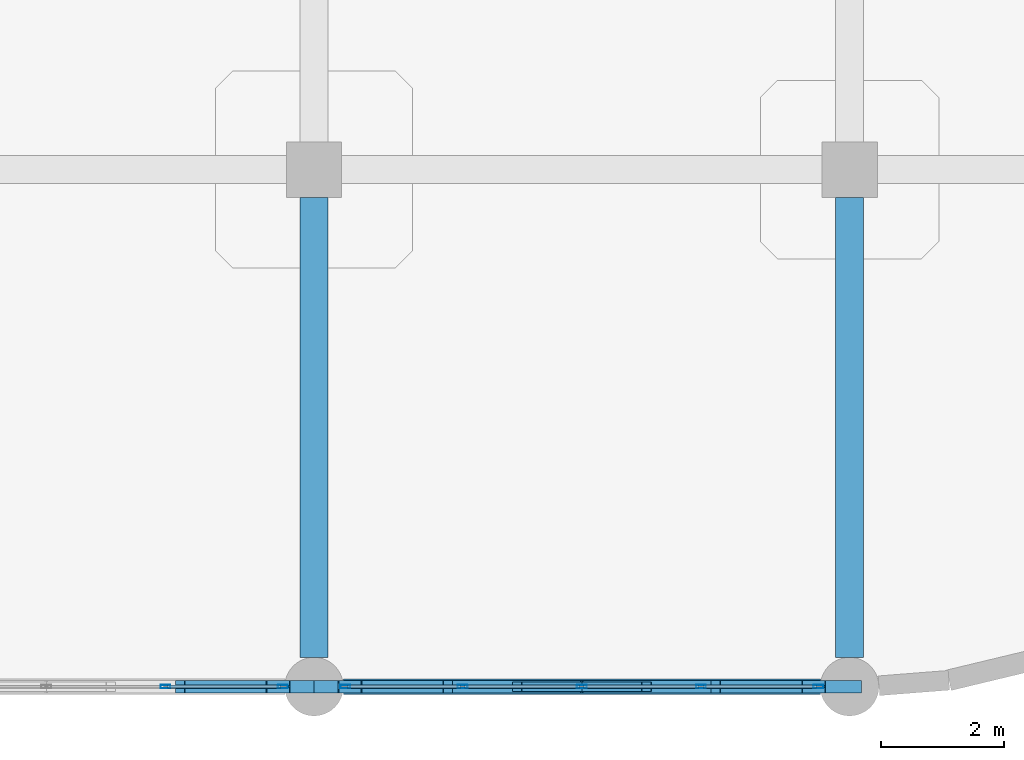
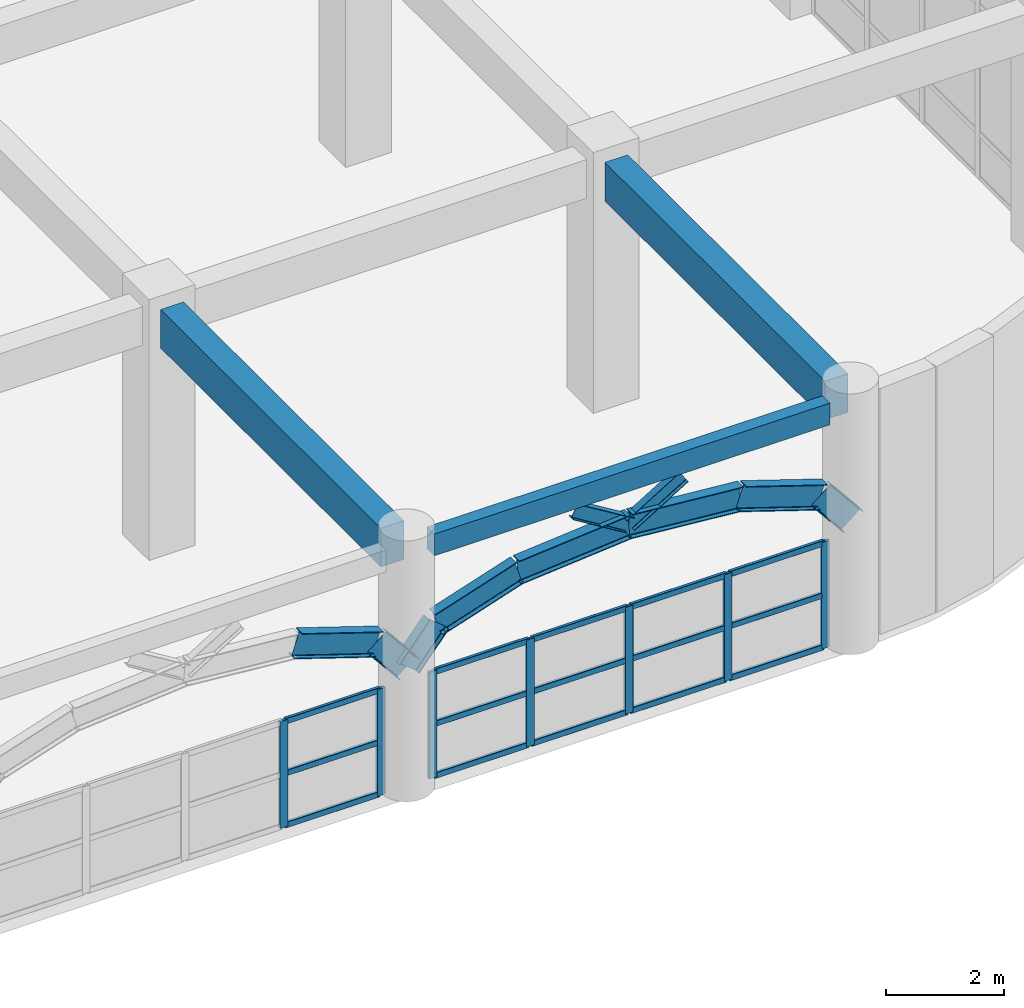
# One storey, part 15 of 114: 24 members, 11 beams, 2 elements without a shape of their own.
"""IFC4 building model written with IfcOpenShell, lengths in metres."""

import ifcopenshell
import ifcopenshell.guid

model = None  # the IFC model being written
_history = None  # IfcOwnerHistory: only IFC2X3 demands one
_inside = {}  # id of a spatial element -> (the spatial element, [elements in it])
_under = {}  # id of a project, library or spatial element -> (it, [spatial elements below it])
_declared = {}  # id of a project -> (the project, [libraries it declares])
_typed = {}  # id of a type object -> (the type object, [elements of that type])
_made_of = {}  # id of a material, layer set ... -> (it, [elements and type objects made of it])


def new_model(schema):
    """Start an empty IFC model of exactly this schema.

    Asked for "IFC4X3", IfcOpenShell would pick the latest addendum, in which some entities
    have other attributes; the version numbers below select the first issue.
    IFC2X3 requires an IfcOwnerHistory on every rooted entity: one is made here for all.
    """
    global model, _history
    if schema == "IFC4X3":
        model = ifcopenshell.file(schema_version=(4, 3, 0, 0))
    else:
        model = ifcopenshell.file(schema=schema)
    _inside.clear()
    _under.clear()
    _declared.clear()
    _typed.clear()
    _made_of.clear()
    _history = None
    if model.schema == "IFC2X3":
        org = make("IfcOrganization", Name="unknown")
        user = make(
            "IfcPersonAndOrganization",
            ThePerson=make("IfcPerson", FamilyName="unknown"),
            TheOrganization=org,
        )
        app = make(
            "IfcApplication",
            ApplicationDeveloper=org,
            Version="unknown",
            ApplicationFullName="unknown",
            ApplicationIdentifier="unknown",
        )
        _history = make(
            "IfcOwnerHistory",
            OwningUser=user,
            OwningApplication=app,
            ChangeAction="ADDED",
            CreationDate=0,
        )
    return model


def make(cls, **values):
    """One entity of the class cls with the attributes given. An attribute that is None is left unset."""
    return model.create_entity(
        cls, **{name: value for name, value in values.items() if value is not None}
    )


def rooted(cls, **values):
    """An entity with a GlobalId (a new one), such as an element, a storey or a relation."""
    return make(cls, GlobalId=ifcopenshell.guid.new(), OwnerHistory=_history, **values)


def si_unit(unit_type, name, prefix=None):
    """IfcSIUnit, for example si_unit("LENGTHUNIT", "METRE", prefix="MILLI")."""
    return make("IfcSIUnit", UnitType=unit_type, Prefix=prefix, Name=name)


def derived_unit(unit_type, elements):
    """IfcDerivedUnit: a product of units, each with its exponent."""
    return make(
        "IfcDerivedUnit",
        Elements=[
            make("IfcDerivedUnitElement", Unit=unit, Exponent=power)
            for unit, power in elements
        ],
        UnitType=unit_type,
    )


def assignment(units):
    """IfcUnitAssignment: the units of a project."""
    return None if units is None else make("IfcUnitAssignment", Units=units)


def point(xyz):
    """IfcCartesianPoint."""
    return None if xyz is None else make("IfcCartesianPoint", Coordinates=xyz)


def direction(xyz):
    """IfcDirection."""
    return None if xyz is None else make("IfcDirection", DirectionRatios=xyz)


def frame(location, z_axis=None, x_axis=None):
    """IfcAxis2Placement3D, a coordinate frame: its origin and axes. An axis left out is left unset."""
    return make(
        "IfcAxis2Placement3D",
        Location=point(location),
        Axis=direction(z_axis),
        RefDirection=direction(x_axis),
    )


def frame_2d(location, x_axis=None):
    """IfcAxis2Placement2D, a coordinate frame in the plane: its origin and x axis."""
    return make(
        "IfcAxis2Placement2D", Location=point(location), RefDirection=direction(x_axis)
    )


def origin():
    """The frame at (0, 0, 0) with its axes left unset."""
    return frame((0.0, 0.0, 0.0))


def origin_2d():
    """The frame at (0, 0) in the plane with its x axis left unset."""
    return frame_2d((0.0, 0.0))


def place(relative_to, where):
    """IfcLocalPlacement: puts the frame where relative to a parent placement (None: the world)."""
    return make(
        "IfcLocalPlacement", PlacementRelTo=relative_to, RelativePlacement=where
    )


def context(
    kind, dimensions, precision=None, world=None, true_north=None, identifier=None
):
    """IfcGeometricRepresentationContext, for example the 3D "Model" context."""
    return make(
        "IfcGeometricRepresentationContext",
        ContextIdentifier=identifier,
        ContextType=kind,
        CoordinateSpaceDimension=dimensions,
        Precision=precision,
        WorldCoordinateSystem=world,
        TrueNorth=true_north,
    )


def subcontext(parent, identifier, kind, view, scale=None):
    """IfcGeometricRepresentationSubContext, for example "Body" below "Model"."""
    return make(
        "IfcGeometricRepresentationSubContext",
        ContextIdentifier=identifier,
        ContextType=kind,
        ParentContext=parent,
        TargetScale=scale,
        TargetView=view,
    )


def project(units=None, contexts=None):
    """IfcProject with its units and contexts."""
    return rooted(
        "IfcProject",
        Name="project",
        RepresentationContexts=contexts,
        UnitsInContext=assignment(units),
    )


def spatial(cls, under=None, at=None, **own):
    """A site, building, storey or space (cls), placed at a placement, below another one or the project."""
    s = rooted(cls, ObjectPlacement=at, **own)
    if under is not None:
        _under.setdefault(under.id(), (under, []))[1].append(s)
    return s


def profile(cls, at=None, kind="AREA", **sizes):
    """A parametric profile (cls). Its sizes go by their IFC names, for example OverallWidth=200.0."""
    return make(cls, ProfileType=kind, Position=at, **sizes)


def rectangle(**sizes):
    """IfcRectangleProfileDef."""
    return profile("IfcRectangleProfileDef", **sizes)


def hollow_rectangle(**sizes):
    """IfcRectangleHollowProfileDef."""
    return profile("IfcRectangleHollowProfileDef", **sizes)


def i_section(**sizes):
    """IfcIShapeProfileDef."""
    return profile("IfcIShapeProfileDef", **sizes)


def extrude(swept, where, along, depth):
    """IfcExtrudedAreaSolid: the profile swept, set in the frame where, extruded along a direction by depth."""
    return make(
        "IfcExtrudedAreaSolid",
        SweptArea=swept,
        Position=where,
        ExtrudedDirection=direction(along),
        Depth=depth,
    )


def shape(context_of_items, identifier, shape_type, items):
    """IfcShapeRepresentation: the items that make up one representation, for example the "Body"."""
    return make(
        "IfcShapeRepresentation",
        ContextOfItems=context_of_items,
        RepresentationIdentifier=identifier,
        RepresentationType=shape_type,
        Items=items,
    )


def material(Name=None, Category=None):
    """IfcMaterial."""
    return make("IfcMaterial", Name=Name, Category=Category)


def layer(
    of_material, thickness, ventilated=None, Name=None, Category=None, Priority=None
):
    """IfcMaterialLayer: one layer of a wall or slab, of a material (None: an air gap)."""
    return make(
        "IfcMaterialLayer",
        Material=of_material,
        LayerThickness=thickness,
        IsVentilated=ventilated,
        Name=Name,
        Category=Category,
        Priority=Priority,
    )


def layer_set(layers, Name=None):
    """IfcMaterialLayerSet."""
    return make("IfcMaterialLayerSet", MaterialLayers=layers, LayerSetName=Name)


def material_profile(
    of_material, cross_section, Name=None, Category=None, Priority=None
):
    """IfcMaterialProfile: a cross section and its material."""
    return make(
        "IfcMaterialProfile",
        Name=Name,
        Material=of_material,
        Profile=cross_section,
        Priority=Priority,
        Category=Category,
    )


def profile_set(profiles, Name=None, composite=None):
    """IfcMaterialProfileSet."""
    return make(
        "IfcMaterialProfileSet",
        Name=Name,
        MaterialProfiles=profiles,
        CompositeProfile=composite,
    )


def made_of(thing, what):
    """Note that an element or type object is made of a material, layer set ...; save() writes the relation."""
    if what is not None:
        _made_of.setdefault(what.id(), (what, []))[1].append(thing)
    return thing


def type_object(cls, material=None, **own):
    """A type object (cls), such as IfcWallType, which elements share."""
    return made_of(rooted(cls, **own), material)


def element(
    cls,
    number,
    at=None,
    inside=None,
    cuts=None,
    type_object=None,
    material=None,
    context=None,
    identifier="Body",
    shape_type=None,
    held_by="IfcProductDefinitionShape",
    body=None,
    shapes=None,
    **own,
):
    """One element of the class cls, such as IfcWall. Its Tag is "e" and its number.

    at: its placement. inside: the storey or other place that contains it. cuts: it is an
    opening in that element (IfcRelVoidsElement). A single representation is given by context,
    identifier, shape_type and body (its items); several are given by shapes. held_by: the class
    of the entity that holds the representations. save() writes the other relations.
    """
    e = rooted(cls, Tag="e%d" % number, ObjectPlacement=at, **own)
    if body is not None:
        shapes = [shape(context, identifier, shape_type, body)]
    if shapes is not None:
        e.Representation = make(held_by, Representations=shapes)
    if inside is not None:
        _inside.setdefault(inside.id(), (inside, []))[1].append(e)
    if cuts is not None:
        rooted(
            "IfcRelVoidsElement", RelatingBuildingElement=cuts, RelatedOpeningElement=e
        )
    if type_object is not None:
        _typed.setdefault(type_object.id(), (type_object, []))[1].append(e)
    return made_of(e, material)


def aggregate(whole, parts):
    """IfcRelAggregates: a whole, such as a stair, and the parts it consists of."""
    return rooted("IfcRelAggregates", RelatingObject=whole, RelatedObjects=parts)


def save(model, path):
    """Write the relations noted so far, then the file.

    IfcRelAggregates (storeys below a building ...), IfcRelContainedInSpatialStructure (elements
    in a storey), IfcRelDefinesByType, IfcRelAssociatesMaterial and IfcRelDeclares: one each for
    every whole, place, type object, material and project.
    """
    for whole, parts in _under.values():
        aggregate(whole, parts)
    for where, things in _inside.values():
        rooted(
            "IfcRelContainedInSpatialStructure",
            RelatedElements=things,
            RelatingStructure=where,
        )
    for kind, things in _typed.values():
        rooted("IfcRelDefinesByType", RelatedObjects=things, RelatingType=kind)
    for what, things in _made_of.values():
        rooted("IfcRelAssociatesMaterial", RelatedObjects=things, RelatingMaterial=what)
    for by, libraries in _declared.values():
        rooted("IfcRelDeclares", RelatingContext=by, RelatedDefinitions=libraries)
    model.write(path)


model = new_model("IFC4")

# Units and contexts
model_context = context("Model", 3, precision=1e-05, world=origin(), true_north=direction((0.0, 1.0)))
body_context = subcontext(model_context, "Body", "Model", "MODEL_VIEW")
ifc_project = project(units=[si_unit("LENGTHUNIT", "METRE"), si_unit("AREAUNIT", "SQUARE_METRE"), si_unit("VOLUMEUNIT", "CUBIC_METRE"), si_unit("PLANEANGLEUNIT", "RADIAN"), si_unit("MASSUNIT", "GRAM", prefix="KILO"), derived_unit("THERMALTRANSMITTANCEUNIT", [(si_unit("MASSUNIT", "GRAM", prefix="KILO"), 1), (si_unit("TIMEUNIT", "SECOND"), -3), (si_unit("THERMODYNAMICTEMPERATUREUNIT", "KELVIN"), -1)])], contexts=[model_context])

# Site, building, storey
site_placement = place(None, origin())
site = spatial("IfcSite", under=ifc_project, at=site_placement, CompositionType="ELEMENT")
building_placement = place(site_placement, origin())
building = spatial("IfcBuilding", under=site, at=building_placement, Name="Qinzheling Arcade Emporium", CompositionType="ELEMENT")
storey_placement = place(building_placement, frame((0.0, 0.0, 6.0)))
storey = spatial("IfcBuildingStorey", under=building, at=storey_placement, Name="L02", CompositionType="ELEMENT", Elevation=6.0)

# Beams
ifc_material_1 = material(Name="Weathering steel Q355NH", Category="steel")
ifc_material_profile_1 = material_profile(ifc_material_1, i_section(OverallWidth=0.199951171875, OverallDepth=0.5, WebThickness=0.010009765625, FlangeThickness=0.01611328125, FilletRadius=0.01806640625, at=origin_2d()), Name="HN 500x200x10x16", Category="steel")
ifc_profile_set_1 = profile_set([ifc_material_profile_1], Name="Weathering steel Q355NH")
beam_type_1 = type_object("IfcBeamType", Name="Arcade End Arch Rib HN500 Q355NH", PredefinedType="BEAM", material=ifc_profile_set_1)
beam_1_placement = place(storey_placement, frame((50.02490234375, 0.0, 3.708984375), z_axis=(0.950403395584, 0.0, -0.311019912004), x_axis=(0.0, 1.0, 0.0)))
element("IfcBeam", 1, at=beam_1_placement, inside=storey, type_object=beam_type_1, Name="Street Entrance Arch ARC-L02-S03-C05", PredefinedType="BEAM", context=body_context, shape_type="SweptSolid", body=[
    extrude(i_section(OverallWidth=0.199951171875, OverallDepth=0.5, WebThickness=0.010009765625, FlangeThickness=0.01611328125, FilletRadius=0.01806640625, at=origin_2d()), origin(), (0.0, 0.0, 1.0), 1.675048828125),
])
for number, where, z_axis, x_axis, name in (
    (2, (51.616943359375, 0.0, 3.18798828125), (0.633064539161, 0.0, -0.774099017734), (0.0, 1.0, 0.0), "Street Entrance Arch ARC-L02-S03-C06"),
    (3, (52.199951171875, 0.0, 2.47509765625), (0.633064539161, 0.0, 0.774099017734), (0.0, 1.0, 0.0), "Street Entrance Arch ARC-L02-S04-C01"),
):
    element("IfcBeam", number, at=place(storey_placement, frame(where, z_axis=z_axis, x_axis=x_axis)), inside=storey, type_object=beam_type_1, Name=name, PredefinedType="BEAM", context=body_context, shape_type="SweptSolid", body=[
        extrude(i_section(OverallWidth=0.199951171875, OverallDepth=0.5, WebThickness=0.010009765625, FlangeThickness=0.01611328125, FilletRadius=0.01806640625, at=origin_2d()), origin(), (0.0, 0.0, 1.0), 0.9208984375),
    ])
beam_2_placement = place(storey_placement, frame((52.782958984375, 0.0, 3.18798828125), z_axis=(0.950403395584, 0.0, 0.311019912004), x_axis=(0.0, 1.0, 0.0)))
element("IfcBeam", 4, at=beam_2_placement, inside=storey, type_object=beam_type_1, Name="Street Entrance Arch ARC-L02-S04-C02", PredefinedType="BEAM", context=body_context, shape_type="SweptSolid", body=[
    extrude(i_section(OverallWidth=0.199951171875, OverallDepth=0.5, WebThickness=0.010009765625, FlangeThickness=0.01611328125, FilletRadius=0.01806640625, at=origin_2d()), origin(), (0.0, 0.0, 1.0), 1.675048828125),
])
for number, where, z_axis, x_axis, name in (
    (5, (54.375, 0.0, 3.708984375), (0.9961697702, 0.0, 0.087440202076), (0.0, 1.0, 0.0), "Street Entrance Arch ARC-L02-S04-C03"),
    (6, (56.550048828125, 0.0, 3.89990234375), (0.9961697702, 0.0, -0.087440202076), (0.0, 1.0, 0.0), "Street Entrance Arch ARC-L02-S04-C04"),
):
    element("IfcBeam", number, at=place(storey_placement, frame(where, z_axis=z_axis, x_axis=x_axis)), inside=storey, type_object=beam_type_1, Name=name, PredefinedType="BEAM", context=body_context, shape_type="SweptSolid", body=[
        extrude(i_section(OverallWidth=0.199951171875, OverallDepth=0.5, WebThickness=0.010009765625, FlangeThickness=0.01611328125, FilletRadius=0.01806640625, at=origin_2d()), origin(), (0.0, 0.0, 1.0), 2.183349609375),
    ])
beam_3_placement = place(storey_placement, frame((58.72509765625, 0.0, 3.708984375), z_axis=(0.950389294243, 0.0, -0.311062999067), x_axis=(0.0, 1.0, 0.0)))
element("IfcBeam", 7, at=beam_3_placement, inside=storey, type_object=beam_type_1, Name="Street Entrance Arch ARC-L02-S04-C05", PredefinedType="BEAM", context=body_context, shape_type="SweptSolid", body=[
    extrude(i_section(OverallWidth=0.199951171875, OverallDepth=0.5, WebThickness=0.010009765625, FlangeThickness=0.01611328125, FilletRadius=0.01806640625, at=origin_2d()), origin(), (0.0, 0.0, 1.0), 1.6748046875),
])
beam_4_placement = place(storey_placement, frame((60.31689453125, 0.0, 3.18798828125), z_axis=(0.633064539161, 0.0, -0.774099017734), x_axis=(0.0, 1.0, 0.0)))
element("IfcBeam", 8, at=beam_4_placement, inside=storey, type_object=beam_type_1, Name="Street Entrance Arch ARC-L02-S04-C06", PredefinedType="BEAM", context=body_context, shape_type="SweptSolid", body=[
    extrude(i_section(OverallWidth=0.199951171875, OverallDepth=0.5, WebThickness=0.010009765625, FlangeThickness=0.01611328125, FilletRadius=0.01806640625, at=origin_2d()), origin(), (0.0, 0.0, 1.0), 0.9208984375),
])

# Members
ifc_material_profile_2 = material_profile(ifc_material_1, i_section(OverallWidth=0.14990234375, OverallDepth=0.300048828125, WebThickness=0.006591796875, FlangeThickness=0.009033203125, FilletRadius=0.012939453125, at=origin_2d()), Name="HN 300x150x6.5x9", Category="steel")
ifc_profile_set_2 = profile_set([ifc_material_profile_2], Name="Weathering steel Q355NH")
member_type_1 = type_object("IfcMemberType", Name="Arcade Spandrel Web Chord HN300 Q355NH", PredefinedType="CHORD", material=ifc_profile_set_2)
for number, where, z_axis, x_axis, name in (
    (9, (56.550048828125, 0.0, 3.909912109375), (-0.853845673448, 0.0, 0.520526239428), (0.0, -1.0, 0.0), "Street Spandrel Web Chord ASW-L02-S04-W1"),
    (10, (56.550048828125, 0.0, 3.909912109375), (0.853845673448, 0.0, 0.520526239428), (0.0, 1.0, 0.0), "Street Spandrel Web Chord ASW-L02-S04-W2"),
):
    element("IfcMember", number, at=place(storey_placement, frame(where, z_axis=z_axis, x_axis=x_axis)), inside=storey, type_object=member_type_1, Name=name, PredefinedType="CHORD", context=body_context, shape_type="SweptSolid", body=[
        extrude(i_section(OverallWidth=0.14990234375, OverallDepth=0.300048828125, WebThickness=0.006591796875, FlangeThickness=0.009033203125, FilletRadius=0.012939453125, at=origin_2d()), origin(), (0.0, 0.0, 1.0), 1.229736328125),
    ])

# Curtain wall, members
ifc_material_2 = material(Name="Anodised aluminium and solar-control double glazing", Category="aluminium")
ifc_layer = layer(ifc_material_2, 0.159912109375, Name="Anodised aluminium and solar-control double glazing", Category="aluminium")
ifc_layer_set = layer_set([ifc_layer], Name="Anodised aluminium and solar-control double glazing")
curtain_wall_type = type_object("IfcCurtainWallType", Name="Arcade Portal Glazed Curtain Wall", PredefinedType="NOTDEFINED", material=ifc_layer_set)
curtain_wall_1_placement = place(storey_placement, origin())
curtain_wall_1 = element("IfcCurtainWall", 11, at=curtain_wall_1_placement, inside=storey, type_object=curtain_wall_type, Name="Curtain Wall CW-L02-069", PredefinedType="NOTDEFINED")
ifc_material_3 = material(Name="Anodised aluminium 6063-T6", Category="aluminium")
ifc_material_profile_3 = material_profile(ifc_material_3, hollow_rectangle(XDim=0.06005859375, YDim=0.159912109375, WallThickness=0.00390625, InnerFilletRadius=0.00390625, OuterFilletRadius=0.008056640625, at=origin_2d()), Name="RHS 160x60x4", Category="aluminium")
ifc_profile_set_3 = profile_set([ifc_material_profile_3], Name="Anodised aluminium 6063-T6")
member_type_2 = type_object("IfcMemberType", Name="Curtain Wall Mullion RHS160x60", PredefinedType="MULLION", material=ifc_profile_set_3)
member_1_placement = place(storey_placement, frame((60.39306640625, 0.0, 0.0), z_axis=(0.0, 0.0, 1.0), x_axis=(0.0, -1.0, 0.0)))
member_1 = element("IfcMember", 12, at=member_1_placement, type_object=member_type_2, Name="CW05 mullion 1", PredefinedType="MULLION", context=body_context, shape_type="SweptSolid", body=[
    extrude(hollow_rectangle(XDim=0.06005859375, YDim=0.159912109375, WallThickness=0.00390625, InnerFilletRadius=0.00390625, OuterFilletRadius=0.008056640625, at=origin_2d()), origin(), (0.0, 0.0, 1.0), 2.2099609375),
])
member_2_placement = place(storey_placement, frame((58.486572265625, 0.0, 0.0), z_axis=(0.0, 0.0, 1.0), x_axis=(0.0, -1.0, 0.0)))
member_2 = element("IfcMember", 13, at=member_2_placement, type_object=member_type_2, Name="CW05 mullion 2", PredefinedType="MULLION", context=body_context, shape_type="SweptSolid", body=[
    extrude(hollow_rectangle(XDim=0.06005859375, YDim=0.159912109375, WallThickness=0.00390625, InnerFilletRadius=0.00390625, OuterFilletRadius=0.008056640625, at=origin_2d()), origin(), (0.0, 0.0, 1.0), 2.2099609375),
])
member_3_placement = place(storey_placement, frame((56.550048828125, 0.0, 0.0), z_axis=(0.0, 0.0, 1.0), x_axis=(0.0, -1.0, 0.0)))
member_3 = element("IfcMember", 14, at=member_3_placement, type_object=member_type_2, Name="CW05 mullion 3", PredefinedType="MULLION", context=body_context, shape_type="SweptSolid", body=[
    extrude(hollow_rectangle(XDim=0.06005859375, YDim=0.159912109375, WallThickness=0.00390625, InnerFilletRadius=0.00390625, OuterFilletRadius=0.008056640625, at=origin_2d()), origin(), (0.0, 0.0, 1.0), 2.2099609375),
])
member_4_placement = place(storey_placement, frame((54.613525390625, 0.0, 0.0), z_axis=(0.0, 0.0, 1.0), x_axis=(0.0, -1.0, 0.0)))
member_4 = element("IfcMember", 15, at=member_4_placement, type_object=member_type_2, Name="CW05 mullion 4", PredefinedType="MULLION", context=body_context, shape_type="SweptSolid", body=[
    extrude(hollow_rectangle(XDim=0.06005859375, YDim=0.159912109375, WallThickness=0.00390625, InnerFilletRadius=0.00390625, OuterFilletRadius=0.008056640625, at=origin_2d()), origin(), (0.0, 0.0, 1.0), 2.2099609375),
])
member_5_placement = place(storey_placement, frame((52.70703125, 0.0, 0.0), z_axis=(0.0, 0.0, 1.0), x_axis=(0.0, -1.0, 0.0)))
member_5 = element("IfcMember", 16, at=member_5_placement, type_object=member_type_2, Name="CW05 mullion 5", PredefinedType="MULLION", context=body_context, shape_type="SweptSolid", body=[
    extrude(hollow_rectangle(XDim=0.06005859375, YDim=0.159912109375, WallThickness=0.00390625, InnerFilletRadius=0.00390625, OuterFilletRadius=0.008056640625, at=origin_2d()), origin(), (0.0, 0.0, 1.0), 2.2099609375),
])

curtain_wall_2_placement = place(storey_placement, origin())
curtain_wall_2 = element("IfcCurtainWall", 17, at=curtain_wall_2_placement, inside=storey, type_object=curtain_wall_type, Name="Curtain Wall CW-L02-070", PredefinedType="NOTDEFINED")
member_6_placement = place(storey_placement, frame((51.693115234375, 0.0, 0.0), z_axis=(0.0, 0.0, 1.0), x_axis=(0.0, -1.0, 0.0)))
member_6 = element("IfcMember", 18, at=member_6_placement, type_object=member_type_2, Name="CW05 mullion 1", PredefinedType="MULLION", context=body_context, shape_type="SweptSolid", body=[
    extrude(hollow_rectangle(XDim=0.06005859375, YDim=0.159912109375, WallThickness=0.00390625, InnerFilletRadius=0.00390625, OuterFilletRadius=0.008056640625, at=origin_2d()), origin(), (0.0, 0.0, 1.0), 2.2099609375),
])
member_7_placement = place(storey_placement, frame((49.78662109375, 0.0, 0.0), z_axis=(0.0, 0.0, 1.0), x_axis=(0.0, -1.0, 0.0)))
member_7 = element("IfcMember", 19, at=member_7_placement, type_object=member_type_2, Name="CW05 mullion 2", PredefinedType="MULLION", context=body_context, shape_type="SweptSolid", body=[
    extrude(hollow_rectangle(XDim=0.06005859375, YDim=0.159912109375, WallThickness=0.00390625, InnerFilletRadius=0.00390625, OuterFilletRadius=0.008056640625, at=origin_2d()), origin(), (0.0, 0.0, 1.0), 2.2099609375),
])

# Member
ifc_material_profile_4 = material_profile(ifc_material_3, hollow_rectangle(XDim=0.06005859375, YDim=0.1201171875, WallThickness=0.00390625, InnerFilletRadius=0.00390625, OuterFilletRadius=0.008056640625, at=origin_2d()), Name="RHS 120x60x4", Category="aluminium")
ifc_profile_set_4 = profile_set([ifc_material_profile_4], Name="Anodised aluminium 6063-T6")
member_type_3 = type_object("IfcMemberType", Name="Curtain Wall Transom RHS120x60", PredefinedType="USERDEFINED", material=ifc_profile_set_4)
member_8_placement = place(storey_placement, frame((60.363037109375, 0.0, 0.030029296875), z_axis=(-1.0, 0.0, 0.0), x_axis=(0.0, -1.0, 0.0)))
member_8 = element("IfcMember", 20, at=member_8_placement, type_object=member_type_3, Name="CW05 transom 1.1", ObjectType="TRANSOM", PredefinedType="USERDEFINED", context=body_context, shape_type="SweptSolid", body=[
    extrude(hollow_rectangle(XDim=0.06005859375, YDim=0.1201171875, WallThickness=0.00390625, InnerFilletRadius=0.00390625, OuterFilletRadius=0.008056640625, at=origin_2d()), origin(), (0.0, 0.0, 1.0), 1.846435546875),
])

member_9_placement = place(storey_placement, frame((60.363037109375, 0.0, 1.10498046875), z_axis=(-1.0, 0.0, 0.0), x_axis=(0.0, -1.0, 0.0)))
member_9 = element("IfcMember", 21, at=member_9_placement, type_object=member_type_3, Name="CW05 transom 1.2", ObjectType="TRANSOM", PredefinedType="USERDEFINED", context=body_context, shape_type="SweptSolid", body=[
    extrude(hollow_rectangle(XDim=0.06005859375, YDim=0.1201171875, WallThickness=0.00390625, InnerFilletRadius=0.00390625, OuterFilletRadius=0.008056640625, at=origin_2d()), origin(), (0.0, 0.0, 1.0), 1.846435546875),
])

member_10_placement = place(storey_placement, frame((60.363037109375, 0.0, 2.179931640625), z_axis=(-1.0, 0.0, 0.0), x_axis=(0.0, -1.0, 0.0)))
member_10 = element("IfcMember", 22, at=member_10_placement, type_object=member_type_3, Name="CW05 transom 1.3", ObjectType="TRANSOM", PredefinedType="USERDEFINED", context=body_context, shape_type="SweptSolid", body=[
    extrude(hollow_rectangle(XDim=0.06005859375, YDim=0.1201171875, WallThickness=0.00390625, InnerFilletRadius=0.00390625, OuterFilletRadius=0.008056640625, at=origin_2d()), origin(), (0.0, 0.0, 1.0), 1.846435546875),
])

member_11_placement = place(storey_placement, frame((58.45654296875, 0.0, 0.030029296875), z_axis=(-1.0, 0.0, 0.0), x_axis=(0.0, -1.0, 0.0)))
member_11 = element("IfcMember", 23, at=member_11_placement, type_object=member_type_3, Name="CW05 transom 2.1", ObjectType="TRANSOM", PredefinedType="USERDEFINED", context=body_context, shape_type="SweptSolid", body=[
    extrude(hollow_rectangle(XDim=0.06005859375, YDim=0.1201171875, WallThickness=0.00390625, InnerFilletRadius=0.00390625, OuterFilletRadius=0.008056640625, at=origin_2d()), origin(), (0.0, 0.0, 1.0), 1.87646484375),
])

member_12_placement = place(storey_placement, frame((58.45654296875, 0.0, 1.10498046875), z_axis=(-1.0, 0.0, 0.0), x_axis=(0.0, -1.0, 0.0)))
member_12 = element("IfcMember", 24, at=member_12_placement, type_object=member_type_3, Name="CW05 transom 2.2", ObjectType="TRANSOM", PredefinedType="USERDEFINED", context=body_context, shape_type="SweptSolid", body=[
    extrude(hollow_rectangle(XDim=0.06005859375, YDim=0.1201171875, WallThickness=0.00390625, InnerFilletRadius=0.00390625, OuterFilletRadius=0.008056640625, at=origin_2d()), origin(), (0.0, 0.0, 1.0), 1.87646484375),
])

member_13_placement = place(storey_placement, frame((58.45654296875, 0.0, 2.179931640625), z_axis=(-1.0, 0.0, 0.0), x_axis=(0.0, -1.0, 0.0)))
member_13 = element("IfcMember", 25, at=member_13_placement, type_object=member_type_3, Name="CW05 transom 2.3", ObjectType="TRANSOM", PredefinedType="USERDEFINED", context=body_context, shape_type="SweptSolid", body=[
    extrude(hollow_rectangle(XDim=0.06005859375, YDim=0.1201171875, WallThickness=0.00390625, InnerFilletRadius=0.00390625, OuterFilletRadius=0.008056640625, at=origin_2d()), origin(), (0.0, 0.0, 1.0), 1.87646484375),
])

member_14_placement = place(storey_placement, frame((56.52001953125, 0.0, 0.030029296875), z_axis=(-1.0, 0.0, 0.0), x_axis=(0.0, -1.0, 0.0)))
member_14 = element("IfcMember", 26, at=member_14_placement, type_object=member_type_3, Name="CW05 transom 3.1", ObjectType="TRANSOM", PredefinedType="USERDEFINED", context=body_context, shape_type="SweptSolid", body=[
    extrude(hollow_rectangle(XDim=0.06005859375, YDim=0.1201171875, WallThickness=0.00390625, InnerFilletRadius=0.00390625, OuterFilletRadius=0.008056640625, at=origin_2d()), origin(), (0.0, 0.0, 1.0), 1.87646484375),
])

member_15_placement = place(storey_placement, frame((56.52001953125, 0.0, 1.10498046875), z_axis=(-1.0, 0.0, 0.0), x_axis=(0.0, -1.0, 0.0)))
member_15 = element("IfcMember", 27, at=member_15_placement, type_object=member_type_3, Name="CW05 transom 3.2", ObjectType="TRANSOM", PredefinedType="USERDEFINED", context=body_context, shape_type="SweptSolid", body=[
    extrude(hollow_rectangle(XDim=0.06005859375, YDim=0.1201171875, WallThickness=0.00390625, InnerFilletRadius=0.00390625, OuterFilletRadius=0.008056640625, at=origin_2d()), origin(), (0.0, 0.0, 1.0), 1.87646484375),
])

member_16_placement = place(storey_placement, frame((56.52001953125, 0.0, 2.179931640625), z_axis=(-1.0, 0.0, 0.0), x_axis=(0.0, -1.0, 0.0)))
member_16 = element("IfcMember", 28, at=member_16_placement, type_object=member_type_3, Name="CW05 transom 3.3", ObjectType="TRANSOM", PredefinedType="USERDEFINED", context=body_context, shape_type="SweptSolid", body=[
    extrude(hollow_rectangle(XDim=0.06005859375, YDim=0.1201171875, WallThickness=0.00390625, InnerFilletRadius=0.00390625, OuterFilletRadius=0.008056640625, at=origin_2d()), origin(), (0.0, 0.0, 1.0), 1.87646484375),
])

member_17_placement = place(storey_placement, frame((54.58349609375, 0.0, 0.030029296875), z_axis=(-1.0, 0.0, 0.0), x_axis=(0.0, -1.0, 0.0)))
member_17 = element("IfcMember", 29, at=member_17_placement, type_object=member_type_3, Name="CW05 transom 4.1", ObjectType="TRANSOM", PredefinedType="USERDEFINED", context=body_context, shape_type="SweptSolid", body=[
    extrude(hollow_rectangle(XDim=0.06005859375, YDim=0.1201171875, WallThickness=0.00390625, InnerFilletRadius=0.00390625, OuterFilletRadius=0.008056640625, at=origin_2d()), origin(), (0.0, 0.0, 1.0), 1.846435546875),
])

member_18_placement = place(storey_placement, frame((54.58349609375, 0.0, 1.10498046875), z_axis=(-1.0, 0.0, 0.0), x_axis=(0.0, -1.0, 0.0)))
member_18 = element("IfcMember", 30, at=member_18_placement, type_object=member_type_3, Name="CW05 transom 4.2", ObjectType="TRANSOM", PredefinedType="USERDEFINED", context=body_context, shape_type="SweptSolid", body=[
    extrude(hollow_rectangle(XDim=0.06005859375, YDim=0.1201171875, WallThickness=0.00390625, InnerFilletRadius=0.00390625, OuterFilletRadius=0.008056640625, at=origin_2d()), origin(), (0.0, 0.0, 1.0), 1.846435546875),
])

member_19_placement = place(storey_placement, frame((54.58349609375, 0.0, 2.179931640625), z_axis=(-1.0, 0.0, 0.0), x_axis=(0.0, -1.0, 0.0)))
member_19 = element("IfcMember", 31, at=member_19_placement, type_object=member_type_3, Name="CW05 transom 4.3", ObjectType="TRANSOM", PredefinedType="USERDEFINED", context=body_context, shape_type="SweptSolid", body=[
    extrude(hollow_rectangle(XDim=0.06005859375, YDim=0.1201171875, WallThickness=0.00390625, InnerFilletRadius=0.00390625, OuterFilletRadius=0.008056640625, at=origin_2d()), origin(), (0.0, 0.0, 1.0), 1.846435546875),
])

aggregate(curtain_wall_1, [member_1, member_2, member_3, member_4, member_5, member_8, member_9, member_10, member_11, member_12, member_13, member_14, member_15, member_16, member_17, member_18, member_19])

member_20_placement = place(storey_placement, frame((51.6630859375, 0.0, 0.030029296875), z_axis=(-1.0, 0.0, 0.0), x_axis=(0.0, -1.0, 0.0)))
member_20 = element("IfcMember", 32, at=member_20_placement, type_object=member_type_3, Name="CW05 transom 1.1", ObjectType="TRANSOM", PredefinedType="USERDEFINED", context=body_context, shape_type="SweptSolid", body=[
    extrude(hollow_rectangle(XDim=0.06005859375, YDim=0.1201171875, WallThickness=0.00390625, InnerFilletRadius=0.00390625, OuterFilletRadius=0.008056640625, at=origin_2d()), origin(), (0.0, 0.0, 1.0), 1.8466796875),
])

member_21_placement = place(storey_placement, frame((51.6630859375, 0.0, 1.10498046875), z_axis=(-1.0, 0.0, 0.0), x_axis=(0.0, -1.0, 0.0)))
member_21 = element("IfcMember", 33, at=member_21_placement, type_object=member_type_3, Name="CW05 transom 1.2", ObjectType="TRANSOM", PredefinedType="USERDEFINED", context=body_context, shape_type="SweptSolid", body=[
    extrude(hollow_rectangle(XDim=0.06005859375, YDim=0.1201171875, WallThickness=0.00390625, InnerFilletRadius=0.00390625, OuterFilletRadius=0.008056640625, at=origin_2d()), origin(), (0.0, 0.0, 1.0), 1.8466796875),
])

member_22_placement = place(storey_placement, frame((51.6630859375, 0.0, 2.179931640625), z_axis=(-1.0, 0.0, 0.0), x_axis=(0.0, -1.0, 0.0)))
member_22 = element("IfcMember", 34, at=member_22_placement, type_object=member_type_3, Name="CW05 transom 1.3", ObjectType="TRANSOM", PredefinedType="USERDEFINED", context=body_context, shape_type="SweptSolid", body=[
    extrude(hollow_rectangle(XDim=0.06005859375, YDim=0.1201171875, WallThickness=0.00390625, InnerFilletRadius=0.00390625, OuterFilletRadius=0.008056640625, at=origin_2d()), origin(), (0.0, 0.0, 1.0), 1.8466796875),
])

aggregate(curtain_wall_2, [member_6, member_7, member_20, member_21, member_22])

# Beams
ifc_material_4 = material(Name="Concrete C40", Category="concrete")
ifc_material_profile_5 = material_profile(ifc_material_4, rectangle(XDim=0.25, YDim=0.449951171875, at=origin_2d()), Name="RC 250x450", Category="concrete")
ifc_profile_set_5 = profile_set([ifc_material_profile_5], Name="Concrete C40")
beam_type_2 = type_object("IfcBeamType", Name="RC Opening Lintel Beam 250x450 C40", PredefinedType="LINTEL", material=ifc_profile_set_5)
beam_5_placement = place(storey_placement, frame((52.675048828125, 0.0, 4.89501953125), z_axis=(1.0, 0.0, 0.0), x_axis=(0.0, 1.0, 0.0)))
element("IfcBeam", 35, at=beam_5_placement, inside=storey, type_object=beam_type_2, Name="Beam BM-L02-X-A-7", PredefinedType="LINTEL", context=body_context, shape_type="SweptSolid", body=[
    extrude(rectangle(XDim=0.25, YDim=0.449951171875, at=origin_2d()), origin(), (0.0, 0.0, 1.0), 7.75),
])
ifc_material_profile_6 = material_profile(ifc_material_4, rectangle(XDim=0.449951171875, YDim=0.800048828125, at=origin_2d()), Name="RC 450x800", Category="concrete")
ifc_profile_set_6 = profile_set([ifc_material_profile_6], Name="Concrete C40")
beam_type_3 = type_object("IfcBeamType", Name="RC Primary Frame Beam 450x800 C40", PredefinedType="BEAM", material=ifc_profile_set_6)
for number, where, z_axis, x_axis, name in (
    (36, (52.199951171875, 0.47509765625, 4.719970703125), (0.0, 1.0, 0.0), (-1.0, 0.0, 0.0), "Beam BM-L02-Y-7-A"),
    (37, (60.89990234375, 0.47509765625, 4.719970703125), (0.0, 1.0, 0.0), (-1.0, 0.0, 0.0), "Beam BM-L02-Y-8-A"),
):
    element("IfcBeam", number, at=place(storey_placement, frame(where, z_axis=z_axis, x_axis=x_axis)), inside=storey, type_object=beam_type_3, Name=name, PredefinedType="BEAM", context=body_context, shape_type="SweptSolid", body=[
        extrude(rectangle(XDim=0.449951171875, YDim=0.800048828125, at=origin_2d()), origin(), (0.0, 0.0, 1.0), 7.474853515625),
    ])

save(model, "model.ifc")
